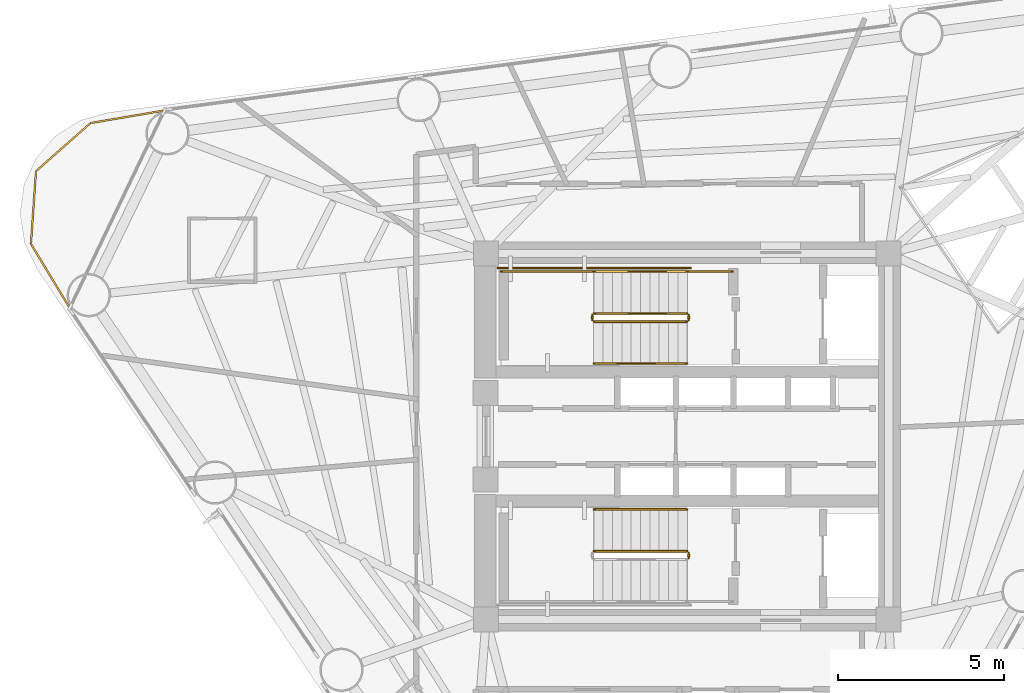
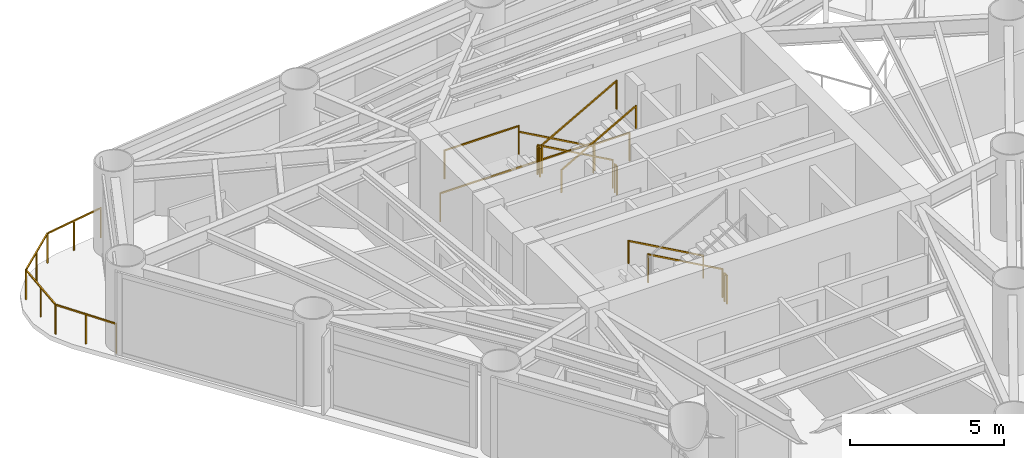
# One storey, part 9 of 10: 13 railings.
"""IFC4 building model written with IfcOpenShell, lengths in metres."""

from ifc_helpers import new_model, si_unit, direction, frame, origin, origin_2d, place, context, subcontext, project, spatial, rectangle, extrude, material, type_object, element, save


model = new_model("IFC4")

# Units and contexts
model_context = context("Model", 3, precision=1e-05, world=origin(), true_north=direction((0.0, 1.0)))
body_context = subcontext(model_context, "Body", "Model", "MODEL_VIEW")
ifc_project = project(units=[si_unit("LENGTHUNIT", "METRE"), si_unit("AREAUNIT", "SQUARE_METRE"), si_unit("VOLUMEUNIT", "CUBIC_METRE"), si_unit("PLANEANGLEUNIT", "RADIAN"), si_unit("MASSUNIT", "GRAM", prefix="KILO")], contexts=[model_context])

# Site, building, storey
site_placement = place(None, origin())
site = spatial("IfcSite", under=ifc_project, at=site_placement, CompositionType="ELEMENT")
building_placement = place(site_placement, origin())
building = spatial("IfcBuilding", under=site, at=building_placement, Name="Yunling Apex Tower", CompositionType="ELEMENT")
storey_placement = place(building_placement, frame((0.0, 0.0, 182.89990234375)))
storey = spatial("IfcBuildingStorey", under=building, at=storey_placement, Name="L45", CompositionType="ELEMENT", Elevation=182.89990234375)

# Railings
ifc_material_1 = material(Name="Bronze anodised aluminium", Category="aluminium")
railing_type_1 = type_object("IfcRailingType", Name="RL-BAL-1200", PredefinedType="BALUSTRADE", material=ifc_material_1)
railing_1_placement = place(storey_placement, frame((-18.567138671875, 3.859375, 0.0)))
element("IfcRailing", 1, at=railing_1_placement, inside=storey, type_object=railing_type_1, Name="RL-CRNSILL-L45-2", PredefinedType="BALUSTRADE", context=body_context, shape_type="SweptSolid", body=[
    extrude(rectangle(XDim=0.0439453125, YDim=0.0439453125, at=origin_2d()), origin(), (0.0, 0.0, 1.0), 1.199951171875),
    extrude(rectangle(XDim=0.0439453125, YDim=0.0439453125, at=origin_2d()), frame((-1.1669921875, 1.927001953125, 0.0)), (0.0, 0.0, 1.0), 1.199951171875),
    extrude(rectangle(XDim=0.050048828125, YDim=0.050048828125, at=origin_2d()), frame((-0.019775390625, 0.03271484375, 1.1748046875), z_axis=(-0.518013473605, 0.855372457566, 0.0), x_axis=(-0.855372457566, -0.518013473605, 0.0)), (0.0, 0.0, 1.0), 2.17626953125),
    extrude(rectangle(XDim=0.0439453125, YDim=0.0439453125, at=origin_2d()), frame((-0.58349609375, 0.96337890625, 0.0)), (0.0, 0.0, 1.0), 1.14599609375),
    extrude(rectangle(XDim=0.0439453125, YDim=0.0439453125, at=origin_2d()), frame((-1.015380859375, 4.114501953125, 0.0)), (0.0, 0.0, 1.0), 1.199951171875),
    extrude(rectangle(XDim=0.050048828125, YDim=0.050048828125, at=origin_2d()), frame((-1.164306640625, 1.96533203125, 1.1748046875), z_axis=(0.069142168872, 0.997606816578, 0.0), x_axis=(-0.997606816578, 0.069142168872, 0.0)), (0.0, 0.0, 1.0), 2.115966796875),
    extrude(rectangle(XDim=0.0439453125, YDim=0.0439453125, at=origin_2d()), frame((-1.09130859375, 3.020751953125, 0.0)), (0.0, 0.0, 1.0), 1.14599609375),
    extrude(rectangle(XDim=0.0439453125, YDim=0.0439453125, at=origin_2d()), frame((0.623046875, 5.560791015625, 0.0)), (0.0, 0.0, 1.0), 1.199951171875),
    extrude(rectangle(XDim=0.050048828125, YDim=0.050048828125, at=origin_2d()), frame((-0.986572265625, 4.139892578125, 1.1748046875), z_axis=(0.749697655483, 0.661780496361, 0.0), x_axis=(-0.661780496361, 0.749697655483, 0.0)), (0.0, 0.0, 1.0), 2.10888671875),
    extrude(rectangle(XDim=0.0439453125, YDim=0.0439453125, at=origin_2d()), frame((-0.1962890625, 4.837646484375, 0.0)), (0.0, 0.0, 1.0), 1.14599609375),
    extrude(rectangle(XDim=0.0439453125, YDim=0.0439453125, at=origin_2d()), frame((2.8447265625, 5.93896484375, 0.0)), (0.0, 0.0, 1.0), 1.199951171875),
    extrude(rectangle(XDim=0.050048828125, YDim=0.050048828125, at=origin_2d()), frame((0.660888671875, 5.567138671875, 1.1748046875), z_axis=(0.985820025914, 0.167806068147, 0.0), x_axis=(-0.167806068147, 0.985820025914, 0.0)), (0.0, 0.0, 1.0), 2.177001953125),
    extrude(rectangle(XDim=0.0439453125, YDim=0.0439453125, at=origin_2d()), frame((1.73388671875, 5.75, 0.0)), (0.0, 0.0, 1.0), 1.14599609375),
])
ifc_material_2 = material(Name="Steel Q355B", Category="steel")
railing_type_2 = type_object("IfcRailingType", Name="RL-GRD-1150", PredefinedType="GUARDRAIL", material=ifc_material_2)
railing_2_placement = place(storey_placement, frame((-0.010009765625, 3.699951171875, 0.156982421875)))
element("IfcRailing", 2, at=railing_2_placement, inside=storey, type_object=railing_type_2, Name="L45 ST-1 stair guard 1", PredefinedType="GUARDRAIL", context=body_context, shape_type="SweptSolid", body=[
    extrude(rectangle(XDim=0.0439453125, YDim=0.0439453125, at=origin_2d()), origin(), (0.0, 0.0, 1.0), 1.14990234375),
    extrude(rectangle(XDim=0.0439453125, YDim=0.0439453125, at=origin_2d()), frame((-2.800048828125, 0.0, 1.568115234375)), (0.0, 0.0, 1.0), 1.14990234375),
    extrude(rectangle(XDim=0.050048828125, YDim=0.050048828125, at=origin_2d()), frame((-0.033447265625, 0.0, 1.1435546875), z_axis=(-0.872494340497, 0.0, 0.48862421737), x_axis=(0.0, -1.0, 0.0)), (0.0, 0.0, 1.0), 3.132568359375),
])
railing_3_placement = place(storey_placement, frame((-2.860107421875, 3.64990234375, 1.72509765625)))
element("IfcRailing", 3, at=railing_3_placement, inside=storey, type_object=railing_type_2, Name="L45 ST-1 stair guard 2", PredefinedType="GUARDRAIL", context=body_context, shape_type="SweptSolid", body=[
    extrude(rectangle(XDim=0.0439453125, YDim=0.0439453125, at=origin_2d()), origin(), (0.0, 0.0, 1.0), 1.14990234375),
    extrude(rectangle(XDim=0.0439453125, YDim=0.0439453125, at=origin_2d()), frame((0.0, -0.14990234375, 0.0)), (0.0, 0.0, 1.0), 1.14990234375),
    extrude(rectangle(XDim=0.050048828125, YDim=0.050048828125, at=origin_2d()), frame((0.0, -0.038330078125, 1.125), z_axis=(0.0, -1.0, 0.0), x_axis=(1.0, 0.0, 0.0)), (0.0, 0.0, 1.0), 0.0732421875),
])
railing_4_placement = place(storey_placement, frame((-2.81005859375, 4.9599609375, 1.72509765625)))
element("IfcRailing", 4, at=railing_4_placement, inside=storey, type_object=railing_type_2, Name="L45 ST-1 stair guard 3", PredefinedType="GUARDRAIL", context=body_context, shape_type="SweptSolid", body=[
    extrude(rectangle(XDim=0.0439453125, YDim=0.0439453125, at=origin_2d()), origin(), (0.0, 0.0, 1.0), 1.14990234375),
    extrude(rectangle(XDim=0.0439453125, YDim=0.0439453125, at=origin_2d()), frame((-2.7900390625, 0.0, 0.0)), (0.0, 0.0, 1.0), 1.14990234375),
    extrude(rectangle(XDim=0.050048828125, YDim=0.050048828125, at=origin_2d()), frame((-0.038330078125, 0.0, 1.125), z_axis=(-1.0, 0.0, 0.0), x_axis=(0.0, -1.0, 0.0)), (0.0, 0.0, 1.0), 2.71337890625),
])
railing_5_placement = place(storey_placement, frame((-2.81005859375, 3.449951171875, 1.8818359375)))
element("IfcRailing", 5, at=railing_5_placement, inside=storey, type_object=railing_type_2, Name="L45 ST-1 stair guard 4", PredefinedType="GUARDRAIL", context=body_context, shape_type="SweptSolid", body=[
    extrude(rectangle(XDim=0.0439453125, YDim=0.0439453125, at=origin_2d()), origin(), (0.0, 0.0, 1.0), 1.14990234375),
    extrude(rectangle(XDim=0.0439453125, YDim=0.0439453125, at=origin_2d()), frame((2.800048828125, 0.0, 1.568359375)), (0.0, 0.0, 1.0), 1.14990234375),
    extrude(rectangle(XDim=0.050048828125, YDim=0.050048828125, at=origin_2d()), frame((0.033447265625, 0.0, 1.1435546875), z_axis=(0.872461907711, 0.0, 0.488682125306), x_axis=(0.0, 1.0, 0.0)), (0.0, 0.0, 1.0), 3.1328125),
])
railing_6_placement = place(storey_placement, frame((0.0400390625, 3.64990234375, 0.0)))
element("IfcRailing", 6, at=railing_6_placement, inside=storey, type_object=railing_type_2, Name="L45 ST-1 stair guard 5", PredefinedType="GUARDRAIL", context=body_context, shape_type="SweptSolid", body=[
    extrude(rectangle(XDim=0.0439453125, YDim=0.0439453125, at=origin_2d()), origin(), (0.0, 0.0, 1.0), 1.14990234375),
    extrude(rectangle(XDim=0.0439453125, YDim=0.0439453125, at=origin_2d()), frame((0.0, -0.14990234375, 0.0)), (0.0, 0.0, 1.0), 1.14990234375),
    extrude(rectangle(XDim=0.050048828125, YDim=0.050048828125, at=origin_2d()), frame((0.0, -0.038330078125, 1.125), z_axis=(0.0, -1.0, 0.0), x_axis=(1.0, 0.0, 0.0)), (0.0, 0.0, 1.0), 0.0732421875),
])
railing_7_placement = place(storey_placement, frame((1.35009765625, 4.9599609375, 0.0)))
element("IfcRailing", 7, at=railing_7_placement, inside=storey, type_object=railing_type_2, Name="L45 ST-1 stair guard 6", PredefinedType="GUARDRAIL", context=body_context, shape_type="SweptSolid", body=[
    extrude(rectangle(XDim=0.0439453125, YDim=0.0439453125, at=origin_2d()), origin(), (0.0, 0.0, 1.0), 1.14990234375),
    extrude(rectangle(XDim=0.0439453125, YDim=0.0439453125, at=origin_2d()), frame((-1.360107421875, 0.0, 0.0)), (0.0, 0.0, 1.0), 1.14990234375),
    extrude(rectangle(XDim=0.050048828125, YDim=0.050048828125, at=origin_2d()), frame((-0.038330078125, 0.0, 1.125), z_axis=(-1.0, 0.0, 0.0), x_axis=(0.0, -1.0, 0.0)), (0.0, 0.0, 1.0), 1.283447265625),
])
railing_8_placement = place(storey_placement, frame((0.090087890625, 5.06005859375, 0.0)))
element("IfcRailing", 8, at=railing_8_placement, inside=storey, type_object=railing_type_2, Name="L45 ST-1 stair guard 7", PredefinedType="GUARDRAIL", context=body_context, shape_type="SweptSolid", body=[
    extrude(rectangle(XDim=0.0439453125, YDim=0.0439453125, at=origin_2d()), origin(), (0.0, 0.0, 1.0), 1.14990234375),
    extrude(rectangle(XDim=0.0439453125, YDim=0.0439453125, at=origin_2d()), frame((-5.7900390625, 0.0, 0.0)), (0.0, 0.0, 1.0), 1.14990234375),
    extrude(rectangle(XDim=0.050048828125, YDim=0.050048828125, at=origin_2d()), frame((-0.038330078125, 0.0, 1.125), z_axis=(-1.0, 0.0, 0.0), x_axis=(0.0, -1.0, 0.0)), (0.0, 0.0, 1.0), 5.71337890625),
])
railing_9_placement = place(storey_placement, frame((-0.010009765625, -3.449951171875, 0.156982421875)))
element("IfcRailing", 9, at=railing_9_placement, inside=storey, type_object=railing_type_2, Name="L45 ST-2 stair guard 1", PredefinedType="GUARDRAIL", context=body_context, shape_type="SweptSolid", body=[
    extrude(rectangle(XDim=0.0439453125, YDim=0.0439453125, at=origin_2d()), origin(), (0.0, 0.0, 1.0), 1.14990234375),
    extrude(rectangle(XDim=0.0439453125, YDim=0.0439453125, at=origin_2d()), frame((-2.800048828125, 0.0, 1.568115234375)), (0.0, 0.0, 1.0), 1.14990234375),
    extrude(rectangle(XDim=0.050048828125, YDim=0.050048828125, at=origin_2d()), frame((-0.033447265625, 0.0, 1.1435546875), z_axis=(-0.872494340497, 0.0, 0.48862421737), x_axis=(0.0, -1.0, 0.0)), (0.0, 0.0, 1.0), 3.132568359375),
])
railing_10_placement = place(storey_placement, frame((0.0400390625, -3.5, 0.0)))
element("IfcRailing", 10, at=railing_10_placement, inside=storey, type_object=railing_type_2, Name="L45 ST-2 stair guard 5", PredefinedType="GUARDRAIL", context=body_context, shape_type="SweptSolid", body=[
    extrude(rectangle(XDim=0.0439453125, YDim=0.0439453125, at=origin_2d()), origin(), (0.0, 0.0, 1.0), 1.14990234375),
    extrude(rectangle(XDim=0.0439453125, YDim=0.0439453125, at=origin_2d()), frame((0.0, -0.14990234375, 0.0)), (0.0, 0.0, 1.0), 1.14990234375),
    extrude(rectangle(XDim=0.050048828125, YDim=0.050048828125, at=origin_2d()), frame((0.0, -0.038330078125, 1.125), z_axis=(0.0, -1.0, 0.0), x_axis=(1.0, 0.0, 0.0)), (0.0, 0.0, 1.0), 0.0732421875),
])
ifc_material_3 = material(Name="Silver anodised aluminium", Category="aluminium")
railing_type_3 = type_object("IfcRailingType", Name="RL-HND-900", PredefinedType="HANDRAIL", material=ifc_material_3)
railing_11_placement = place(storey_placement, frame((-0.010009765625, 4.9599609375, 0.156982421875)))
element("IfcRailing", 11, at=railing_11_placement, inside=storey, type_object=railing_type_3, Name="L45 ST-1 stair handrail 1", PredefinedType="HANDRAIL", context=body_context, shape_type="SweptSolid", body=[
    extrude(rectangle(XDim=0.0439453125, YDim=0.0439453125, at=origin_2d()), origin(), (0.0, 0.0, 1.0), 0.919921875),
    extrude(rectangle(XDim=0.0439453125, YDim=0.0439453125, at=origin_2d()), frame((-2.800048828125, 0.0, 1.568115234375)), (0.0, 0.0, 1.0), 0.919921875),
    extrude(rectangle(XDim=0.050048828125, YDim=0.050048828125, at=origin_2d()), frame((-0.033447265625, 0.0, 0.91357421875), z_axis=(-0.872494340497, 0.0, 0.48862421737), x_axis=(0.0, -1.0, 0.0)), (0.0, 0.0, 1.0), 3.132568359375),
])
railing_12_placement = place(storey_placement, frame((-2.81005859375, 2.18994140625, 1.8818359375)))
element("IfcRailing", 12, at=railing_12_placement, inside=storey, type_object=railing_type_3, Name="L45 ST-1 stair handrail 2", PredefinedType="HANDRAIL", context=body_context, shape_type="SweptSolid", body=[
    extrude(rectangle(XDim=0.0439453125, YDim=0.0439453125, at=origin_2d()), origin(), (0.0, 0.0, 1.0), 0.919921875),
    extrude(rectangle(XDim=0.0439453125, YDim=0.0439453125, at=origin_2d()), frame((2.800048828125, 0.0, 1.568359375)), (0.0, 0.0, 1.0), 0.919921875),
    extrude(rectangle(XDim=0.050048828125, YDim=0.050048828125, at=origin_2d()), frame((0.033447265625, 0.0, 0.91357421875), z_axis=(0.872461907711, 0.0, 0.488682125306), x_axis=(0.0, 1.0, 0.0)), (0.0, 0.0, 1.0), 3.1328125),
])
railing_13_placement = place(storey_placement, frame((-0.010009765625, -2.18994140625, 0.156982421875)))
element("IfcRailing", 13, at=railing_13_placement, inside=storey, type_object=railing_type_3, Name="L45 ST-2 stair handrail 1", PredefinedType="HANDRAIL", context=body_context, shape_type="SweptSolid", body=[
    extrude(rectangle(XDim=0.0439453125, YDim=0.0439453125, at=origin_2d()), origin(), (0.0, 0.0, 1.0), 0.919921875),
    extrude(rectangle(XDim=0.0439453125, YDim=0.0439453125, at=origin_2d()), frame((-2.800048828125, 0.0, 1.568115234375)), (0.0, 0.0, 1.0), 0.919921875),
    extrude(rectangle(XDim=0.050048828125, YDim=0.050048828125, at=origin_2d()), frame((-0.033447265625, 0.0, 0.91357421875), z_axis=(-0.872494340497, 0.0, 0.48862421737), x_axis=(0.0, -1.0, 0.0)), (0.0, 0.0, 1.0), 3.132568359375),
])

save(model, "model.ifc")
